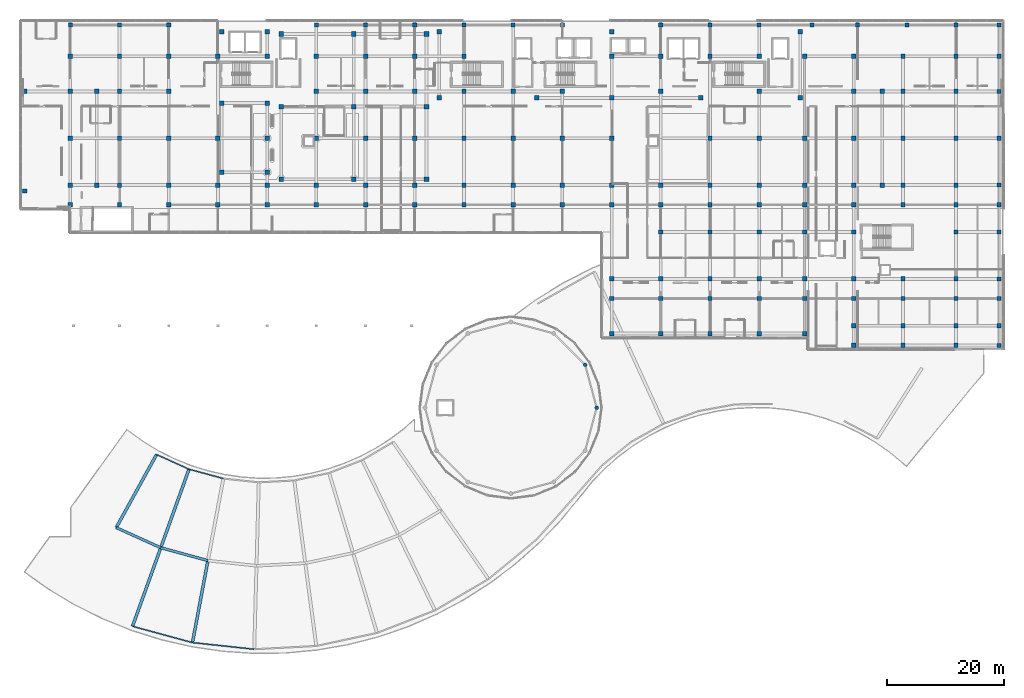
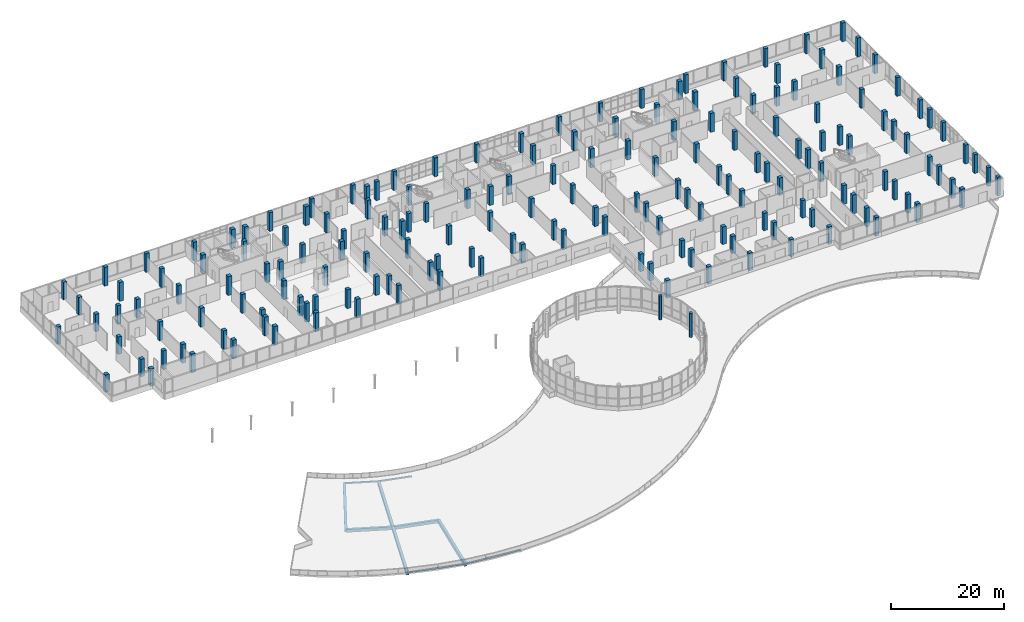
# One storey, part 3 of 101: 178 columns, 10 beams.
"""IFC4 building model written with IfcOpenShell, lengths in metres."""

import ifcopenshell
import ifcopenshell.guid

model = None  # the IFC model being written
_history = None  # IfcOwnerHistory: only IFC2X3 demands one
_inside = {}  # id of a spatial element -> (the spatial element, [elements in it])
_under = {}  # id of a project, library or spatial element -> (it, [spatial elements below it])
_declared = {}  # id of a project -> (the project, [libraries it declares])
_typed = {}  # id of a type object -> (the type object, [elements of that type])
_made_of = {}  # id of a material, layer set ... -> (it, [elements and type objects made of it])


def new_model(schema):
    """Start an empty IFC model of exactly this schema.

    Asked for "IFC4X3", IfcOpenShell would pick the latest addendum, in which some entities
    have other attributes; the version numbers below select the first issue.
    IFC2X3 requires an IfcOwnerHistory on every rooted entity: one is made here for all.
    """
    global model, _history
    if schema == "IFC4X3":
        model = ifcopenshell.file(schema_version=(4, 3, 0, 0))
    else:
        model = ifcopenshell.file(schema=schema)
    _inside.clear()
    _under.clear()
    _declared.clear()
    _typed.clear()
    _made_of.clear()
    _history = None
    if model.schema == "IFC2X3":
        org = make("IfcOrganization", Name="unknown")
        user = make(
            "IfcPersonAndOrganization",
            ThePerson=make("IfcPerson", FamilyName="unknown"),
            TheOrganization=org,
        )
        app = make(
            "IfcApplication",
            ApplicationDeveloper=org,
            Version="unknown",
            ApplicationFullName="unknown",
            ApplicationIdentifier="unknown",
        )
        _history = make(
            "IfcOwnerHistory",
            OwningUser=user,
            OwningApplication=app,
            ChangeAction="ADDED",
            CreationDate=0,
        )
    return model


def make(cls, **values):
    """One entity of the class cls with the attributes given. An attribute that is None is left unset."""
    return model.create_entity(
        cls, **{name: value for name, value in values.items() if value is not None}
    )


def rooted(cls, **values):
    """An entity with a GlobalId (a new one), such as an element, a storey or a relation."""
    return make(cls, GlobalId=ifcopenshell.guid.new(), OwnerHistory=_history, **values)


def si_unit(unit_type, name, prefix=None):
    """IfcSIUnit, for example si_unit("LENGTHUNIT", "METRE", prefix="MILLI")."""
    return make("IfcSIUnit", UnitType=unit_type, Prefix=prefix, Name=name)


def assignment(units):
    """IfcUnitAssignment: the units of a project."""
    return None if units is None else make("IfcUnitAssignment", Units=units)


def point(xyz):
    """IfcCartesianPoint."""
    return None if xyz is None else make("IfcCartesianPoint", Coordinates=xyz)


def direction(xyz):
    """IfcDirection."""
    return None if xyz is None else make("IfcDirection", DirectionRatios=xyz)


def frame(location, z_axis=None, x_axis=None):
    """IfcAxis2Placement3D, a coordinate frame: its origin and axes. An axis left out is left unset."""
    return make(
        "IfcAxis2Placement3D",
        Location=point(location),
        Axis=direction(z_axis),
        RefDirection=direction(x_axis),
    )


def frame_2d(location, x_axis=None):
    """IfcAxis2Placement2D, a coordinate frame in the plane: its origin and x axis."""
    return make(
        "IfcAxis2Placement2D", Location=point(location), RefDirection=direction(x_axis)
    )


def origin():
    """The frame at (0, 0, 0) with its axes left unset."""
    return frame((0.0, 0.0, 0.0))


def origin_2d():
    """The frame at (0, 0) in the plane with its x axis left unset."""
    return frame_2d((0.0, 0.0))


def place(relative_to, where):
    """IfcLocalPlacement: puts the frame where relative to a parent placement (None: the world)."""
    return make(
        "IfcLocalPlacement", PlacementRelTo=relative_to, RelativePlacement=where
    )


def context(
    kind, dimensions, precision=None, world=None, true_north=None, identifier=None
):
    """IfcGeometricRepresentationContext, for example the 3D "Model" context."""
    return make(
        "IfcGeometricRepresentationContext",
        ContextIdentifier=identifier,
        ContextType=kind,
        CoordinateSpaceDimension=dimensions,
        Precision=precision,
        WorldCoordinateSystem=world,
        TrueNorth=true_north,
    )


def subcontext(parent, identifier, kind, view, scale=None):
    """IfcGeometricRepresentationSubContext, for example "Body" below "Model"."""
    return make(
        "IfcGeometricRepresentationSubContext",
        ContextIdentifier=identifier,
        ContextType=kind,
        ParentContext=parent,
        TargetScale=scale,
        TargetView=view,
    )


def project(units=None, contexts=None):
    """IfcProject with its units and contexts."""
    return rooted(
        "IfcProject",
        Name="project",
        RepresentationContexts=contexts,
        UnitsInContext=assignment(units),
    )


def spatial(cls, under=None, at=None, **own):
    """A site, building, storey or space (cls), placed at a placement, below another one or the project."""
    s = rooted(cls, ObjectPlacement=at, **own)
    if under is not None:
        _under.setdefault(under.id(), (under, []))[1].append(s)
    return s


def profile(cls, at=None, kind="AREA", **sizes):
    """A parametric profile (cls). Its sizes go by their IFC names, for example OverallWidth=200.0."""
    return make(cls, ProfileType=kind, Position=at, **sizes)


def rectangle(**sizes):
    """IfcRectangleProfileDef."""
    return profile("IfcRectangleProfileDef", **sizes)


def hollow_rectangle(**sizes):
    """IfcRectangleHollowProfileDef."""
    return profile("IfcRectangleHollowProfileDef", **sizes)


def circle(**sizes):
    """IfcCircleProfileDef."""
    return profile("IfcCircleProfileDef", **sizes)


def extrude(swept, where, along, depth):
    """IfcExtrudedAreaSolid: the profile swept, set in the frame where, extruded along a direction by depth."""
    return make(
        "IfcExtrudedAreaSolid",
        SweptArea=swept,
        Position=where,
        ExtrudedDirection=direction(along),
        Depth=depth,
    )


def shape(context_of_items, identifier, shape_type, items):
    """IfcShapeRepresentation: the items that make up one representation, for example the "Body"."""
    return make(
        "IfcShapeRepresentation",
        ContextOfItems=context_of_items,
        RepresentationIdentifier=identifier,
        RepresentationType=shape_type,
        Items=items,
    )


def material(Name=None, Category=None):
    """IfcMaterial."""
    return make("IfcMaterial", Name=Name, Category=Category)


def material_profile(
    of_material, cross_section, Name=None, Category=None, Priority=None
):
    """IfcMaterialProfile: a cross section and its material."""
    return make(
        "IfcMaterialProfile",
        Name=Name,
        Material=of_material,
        Profile=cross_section,
        Priority=Priority,
        Category=Category,
    )


def profile_set(profiles, Name=None, composite=None):
    """IfcMaterialProfileSet."""
    return make(
        "IfcMaterialProfileSet",
        Name=Name,
        MaterialProfiles=profiles,
        CompositeProfile=composite,
    )


def made_of(thing, what):
    """Note that an element or type object is made of a material, layer set ...; save() writes the relation."""
    if what is not None:
        _made_of.setdefault(what.id(), (what, []))[1].append(thing)
    return thing


def type_object(cls, material=None, **own):
    """A type object (cls), such as IfcWallType, which elements share."""
    return made_of(rooted(cls, **own), material)


def element(
    cls,
    number,
    at=None,
    inside=None,
    cuts=None,
    type_object=None,
    material=None,
    context=None,
    identifier="Body",
    shape_type=None,
    held_by="IfcProductDefinitionShape",
    body=None,
    shapes=None,
    **own,
):
    """One element of the class cls, such as IfcWall. Its Tag is "e" and its number.

    at: its placement. inside: the storey or other place that contains it. cuts: it is an
    opening in that element (IfcRelVoidsElement). A single representation is given by context,
    identifier, shape_type and body (its items); several are given by shapes. held_by: the class
    of the entity that holds the representations. save() writes the other relations.
    """
    e = rooted(cls, Tag="e%d" % number, ObjectPlacement=at, **own)
    if body is not None:
        shapes = [shape(context, identifier, shape_type, body)]
    if shapes is not None:
        e.Representation = make(held_by, Representations=shapes)
    if inside is not None:
        _inside.setdefault(inside.id(), (inside, []))[1].append(e)
    if cuts is not None:
        rooted(
            "IfcRelVoidsElement", RelatingBuildingElement=cuts, RelatedOpeningElement=e
        )
    if type_object is not None:
        _typed.setdefault(type_object.id(), (type_object, []))[1].append(e)
    return made_of(e, material)


def aggregate(whole, parts):
    """IfcRelAggregates: a whole, such as a stair, and the parts it consists of."""
    return rooted("IfcRelAggregates", RelatingObject=whole, RelatedObjects=parts)


def save(model, path):
    """Write the relations noted so far, then the file.

    IfcRelAggregates (storeys below a building ...), IfcRelContainedInSpatialStructure (elements
    in a storey), IfcRelDefinesByType, IfcRelAssociatesMaterial and IfcRelDeclares: one each for
    every whole, place, type object, material and project.
    """
    for whole, parts in _under.values():
        aggregate(whole, parts)
    for where, things in _inside.values():
        rooted(
            "IfcRelContainedInSpatialStructure",
            RelatedElements=things,
            RelatingStructure=where,
        )
    for kind, things in _typed.values():
        rooted("IfcRelDefinesByType", RelatedObjects=things, RelatingType=kind)
    for what, things in _made_of.values():
        rooted("IfcRelAssociatesMaterial", RelatedObjects=things, RelatingMaterial=what)
    for by, libraries in _declared.values():
        rooted("IfcRelDeclares", RelatingContext=by, RelatedDefinitions=libraries)
    model.write(path)


model = new_model("IFC4")

# Units and contexts
model_context = context("Model", 3, precision=1e-05, world=origin(), true_north=direction((0.0, 1.0)))
body_context = subcontext(model_context, "Body", "Model", "MODEL_VIEW")
ifc_project = project(units=[si_unit("LENGTHUNIT", "METRE"), si_unit("AREAUNIT", "SQUARE_METRE"), si_unit("VOLUMEUNIT", "CUBIC_METRE"), si_unit("PLANEANGLEUNIT", "RADIAN"), si_unit("MASSUNIT", "GRAM", prefix="KILO")], contexts=[model_context])

# Site, building, storey
site_placement = place(None, origin())
site = spatial("IfcSite", under=ifc_project, at=site_placement, CompositionType="ELEMENT")
building_placement = place(site_placement, origin())
building = spatial("IfcBuilding", under=site, at=building_placement, Name="Selatvlak General Hospital", CompositionType="ELEMENT")
storey_placement = place(building_placement, frame((0.0, 0.0, 19.199951171875)))
storey = spatial("IfcBuildingStorey", under=building, at=storey_placement, Name="L04", CompositionType="ELEMENT", Elevation=19.199951171875)

# Columns
ifc_material_1 = material(Name="Concrete C40/50", Category="concrete")
ifc_material_profile_1 = material_profile(ifc_material_1, rectangle(XDim=0.699951171875, YDim=0.699951171875, at=origin_2d()), Name="RC-COL 700x700")
ifc_profile_set_1 = profile_set([ifc_material_profile_1], Name="Concrete C40/50")
column_type_1 = type_object("IfcColumnType", Name="COL-RC70", PredefinedType="COLUMN", material=ifc_profile_set_1)
for number, where, z_axis, x_axis, name in (
    (1, (149.39990234375, 119.35009765625, 0.0), (0.0, 0.0, 1.0), (1.0, 0.0, 0.0), "Column 122 on L04"),
    (2, (157.199951171875, 119.35009765625, 0.0), (0.0, 0.0, 1.0), (1.0, 0.0, 0.0), "Column 123 on L04"),
    (3, (165.60009765625, 119.35009765625, 0.0), (0.0, 0.0, 1.0), (1.0, 0.0, 0.0), "Column 124 on L04"),
    (4, (174.0, 119.35009765625, 0.0), (0.0, 0.0, 1.0), (1.0, 0.0, 0.0), "Column 125 on L04"),
    (5, (181.35009765625, 119.35009765625, 0.0), (0.0, 0.0, 1.0), (1.0, 0.0, 0.0), "Column 126 on L04"),
):
    element("IfcColumn", number, at=place(storey_placement, frame(where, z_axis=z_axis, x_axis=x_axis)), inside=storey, type_object=column_type_1, Name=name, PredefinedType="COLUMN", context=body_context, shape_type="SweptSolid", body=[
        extrude(rectangle(XDim=0.699951171875, YDim=0.699951171875, at=origin_2d()), origin(), (0.0, 0.0, 1.0), 4.050048828125),
    ])
column_1_placement = place(storey_placement, frame((22.800048828125, 119.35009765625, 0.0), z_axis=(0.0, 0.0, 1.0), x_axis=(1.0, 0.0, 0.0)))
element("IfcColumn", 6, at=column_1_placement, inside=storey, type_object=column_type_1, Name="Column 163 on L04", PredefinedType="COLUMN", context=body_context, shape_type="SweptSolid", body=[
    extrude(rectangle(XDim=0.699951171875, YDim=0.699951171875, at=origin_2d()), origin(), (0.0, 0.0, 1.0), 3.77001953125),
])
for number, where, z_axis, x_axis, name in (
    (7, (31.199951171875, 119.35009765625, 0.0), (0.0, 0.0, 1.0), (1.0, 0.0, 0.0), "Column 169 on L04"),
    (8, (39.60009765625, 119.35009765625, 0.0), (0.0, 0.0, 1.0), (1.0, 0.0, 0.0), "Column 175 on L04"),
    (9, (64.800048828125, 119.35009765625, 0.0), (0.0, 0.0, 1.0), (1.0, 0.0, 0.0), "Column 191 on L04"),
    (10, (73.199951171875, 119.35009765625, 0.0), (0.0, 0.0, 1.0), (1.0, 0.0, 0.0), "Column 197 on L04"),
    (11, (81.60009765625, 119.35009765625, 0.0), (0.0, 0.0, 1.0), (1.0, 0.0, 0.0), "Column 206 on L04"),
    (12, (90.0, 119.35009765625, 0.0), (0.0, 0.0, 1.0), (1.0, 0.0, 0.0), "Column 215 on L04"),
    (13, (98.39990234375, 119.35009765625, 0.0), (0.0, 0.0, 1.0), (1.0, 0.0, 0.0), "Column 222 on L04"),
    (14, (106.800048828125, 119.35009765625, 0.0), (0.0, 0.0, 1.0), (1.0, 0.0, 0.0), "Column 228 on L04"),
    (15, (123.60009765625, 119.35009765625, 0.0), (0.0, 0.0, 1.0), (1.0, 0.0, 0.0), "Column 245 on L04"),
    (16, (132.0, 119.35009765625, 0.0), (0.0, 0.0, 1.0), (1.0, 0.0, 0.0), "Column 254 on L04"),
    (17, (140.39990234375, 119.35009765625, 0.0), (0.0, 0.0, 1.0), (1.0, 0.0, 0.0), "Column 264 on L04"),
    (18, (181.35009765625, 64.64990234375, 0.0), (0.0, 0.0, 1.0), (1.0, 0.0, 0.0), "Column 304 on L04"),
    (19, (181.35009765625, 68.0, 0.0), (0.0, 0.0, 1.0), (1.0, 0.0, 0.0), "Column 305 on L04"),
    (20, (181.35009765625, 72.64990234375, 0.0), (0.0, 0.0, 1.0), (1.0, 0.0, 0.0), "Column 306 on L04"),
    (21, (181.35009765625, 76.0, 0.0), (0.0, 0.0, 1.0), (1.0, 0.0, 0.0), "Column 307 on L04"),
    (22, (181.35009765625, 84.0, 0.0), (0.0, 0.0, 1.0), (1.0, 0.0, 0.0), "Column 308 on L04"),
    (23, (181.35009765625, 88.64990234375, 0.0), (0.0, 0.0, 1.0), (1.0, 0.0, 0.0), "Column 309 on L04"),
    (24, (181.35009765625, 92.0, 0.0), (0.0, 0.0, 1.0), (1.0, 0.0, 0.0), "Column 310 on L04"),
    (25, (181.35009765625, 100.0, 0.0), (0.0, 0.0, 1.0), (1.0, 0.0, 0.0), "Column 311 on L04"),
    (26, (181.35009765625, 108.0, 0.0), (0.0, 0.0, 1.0), (1.0, 0.0, 0.0), "Column 312 on L04"),
    (27, (181.35009765625, 114.0, 0.0), (0.0, 0.0, 1.0), (1.0, 0.0, 0.0), "Column 313 on L04"),
):
    element("IfcColumn", number, at=place(storey_placement, frame(where, z_axis=z_axis, x_axis=x_axis)), inside=storey, type_object=column_type_1, Name=name, PredefinedType="COLUMN", context=body_context, shape_type="SweptSolid", body=[
        extrude(rectangle(XDim=0.699951171875, YDim=0.699951171875, at=origin_2d()), origin(), (0.0, 0.0, 1.0), 4.050048828125),
    ])
ifc_material_2 = material(Name="Concrete C50/60", Category="concrete")
ifc_material_profile_2 = material_profile(ifc_material_2, rectangle(XDim=0.75, YDim=0.75, at=origin_2d()), Name="RC-COL 750x750")
ifc_profile_set_2 = profile_set([ifc_material_profile_2], Name="Concrete C50/60")
column_type_2 = type_object("IfcColumnType", Name="COL-RC75", PredefinedType="COLUMN", material=ifc_profile_set_2)
for number, where, z_axis, x_axis, name in (
    (28, (48.64990234375, 94.199951171875, 0.0), (0.0, 0.0, 1.0), (1.0, 0.0, 0.0), "Column 046 on L04"),
    (29, (56.39990234375, 94.199951171875, 0.0), (0.0, 0.0, 1.0), (1.0, 0.0, 0.0), "Column 047 on L04"),
    (30, (48.64990234375, 106.0, 0.0), (0.0, 0.0, 1.0), (1.0, 0.0, 0.0), "Column 048 on L04"),
    (31, (56.39990234375, 106.0, 0.0), (0.0, 0.0, 1.0), (1.0, 0.0, 0.0), "Column 049 on L04"),
    (32, (48.64990234375, 118.199951171875, 0.0), (0.0, 0.0, 1.0), (1.0, 0.0, 0.0), "Column 050 on L04"),
    (33, (56.39990234375, 118.199951171875, 0.0), (0.0, 0.0, 1.0), (1.0, 0.0, 0.0), "Column 051 on L04"),
    (34, (85.800048828125, 106.89990234375, 0.0), (0.0, 0.0, 1.0), (1.0, 0.0, 0.0), "Column 052 on L04"),
    (35, (102.39990234375, 106.89990234375, 0.0), (0.0, 0.0, 1.0), (1.0, 0.0, 0.0), "Column 053 on L04"),
    (36, (115.199951171875, 106.89990234375, 0.0), (0.0, 0.0, 1.0), (1.0, 0.0, 0.0), "Column 054 on L04"),
    (37, (130.39990234375, 106.89990234375, 0.0), (0.0, 0.0, 1.0), (1.0, 0.0, 0.0), "Column 055 on L04"),
    (38, (147.39990234375, 106.89990234375, 0.0), (0.0, 0.0, 1.0), (1.0, 0.0, 0.0), "Column 056 on L04"),
    (39, (85.800048828125, 118.199951171875, 0.0), (0.0, 0.0, 1.0), (1.0, 0.0, 0.0), "Column 057 on L04"),
    (40, (115.199951171875, 118.199951171875, 0.0), (0.0, 0.0, 1.0), (1.0, 0.0, 0.0), "Column 058 on L04"),
    (41, (147.39990234375, 118.199951171875, 0.0), (0.0, 0.0, 1.0), (1.0, 0.0, 0.0), "Column 059 on L04"),
):
    element("IfcColumn", number, at=place(storey_placement, frame(where, z_axis=z_axis, x_axis=x_axis)), inside=storey, type_object=column_type_2, Name=name, PredefinedType="COLUMN", context=body_context, shape_type="SweptSolid", body=[
        extrude(rectangle(XDim=0.75, YDim=0.75, at=origin_2d()), origin(), (0.0, 0.0, 1.0), 4.050048828125),
    ])
column_2_placement = place(storey_placement, frame((15.050048828125, 91.0, 0.0), z_axis=(0.0, 0.0, 1.0), x_axis=(1.0, 0.0, 0.0)))
element("IfcColumn", 42, at=column_2_placement, inside=storey, type_object=column_type_2, Name="Column 070 on L04", PredefinedType="COLUMN", context=body_context, shape_type="SweptSolid", body=[
    extrude(rectangle(XDim=0.75, YDim=0.75, at=origin_2d()), origin(), (0.0, 0.0, 1.0), 3.76806640625),
])
for number, where, z_axis, x_axis, name in (
    (43, (27.300048828125, 92.0, 0.0), (0.0, 0.0, 1.0), (1.0, 0.0, 0.0), "Column 111 on L04"),
    (44, (27.300048828125, 108.0, 0.0), (0.0, 0.0, 1.0), (1.0, 0.0, 0.0), "Column 112 on L04"),
    (45, (161.39990234375, 92.0, 0.0), (0.0, 0.0, 1.0), (1.0, 0.0, 0.0), "Column 113 on L04"),
    (46, (161.39990234375, 108.0, 0.0), (0.0, 0.0, 1.0), (1.0, 0.0, 0.0), "Column 114 on L04"),
):
    element("IfcColumn", number, at=place(storey_placement, frame(where, z_axis=z_axis, x_axis=x_axis)), inside=storey, type_object=column_type_2, Name=name, PredefinedType="COLUMN", context=body_context, shape_type="SweptSolid", body=[
        extrude(rectangle(XDim=0.75, YDim=0.75, at=origin_2d()), origin(), (0.0, 0.0, 1.0), 4.050048828125),
    ])
column_3_placement = place(storey_placement, frame((15.050048828125, 108.0, 0.0), z_axis=(0.0, 0.0, 1.0), x_axis=(1.0, 0.0, 0.0)))
element("IfcColumn", 47, at=column_3_placement, inside=storey, type_object=column_type_2, Name="Column 156 on L04", PredefinedType="COLUMN", context=body_context, shape_type="SweptSolid", body=[
    extrude(rectangle(XDim=0.75, YDim=0.75, at=origin_2d()), origin(), (0.0, 0.0, 1.0), 3.76806640625),
])
for number, where, z_axis, x_axis, name in (
    (48, (22.800048828125, 88.64990234375, 0.0), (0.0, 0.0, 1.0), (1.0, 0.0, 0.0), "Column 158 on L04"),
    (49, (22.800048828125, 92.0, 0.0), (0.0, 0.0, 1.0), (1.0, 0.0, 0.0), "Column 159 on L04"),
    (50, (22.800048828125, 100.0, 0.0), (0.0, 0.0, 1.0), (1.0, 0.0, 0.0), "Column 160 on L04"),
    (51, (22.800048828125, 108.0, 0.0), (0.0, 0.0, 1.0), (1.0, 0.0, 0.0), "Column 161 on L04"),
    (52, (22.800048828125, 114.0, 0.0), (0.0, 0.0, 1.0), (1.0, 0.0, 0.0), "Column 162 on L04"),
):
    element("IfcColumn", number, at=place(storey_placement, frame(where, z_axis=z_axis, x_axis=x_axis)), inside=storey, type_object=column_type_2, Name=name, PredefinedType="COLUMN", context=body_context, shape_type="SweptSolid", body=[
        extrude(rectangle(XDim=0.75, YDim=0.75, at=origin_2d()), origin(), (0.0, 0.0, 1.0), 3.77001953125),
    ])
for number, where, z_axis, x_axis, name in (
    (53, (31.199951171875, 88.64990234375, 0.0), (0.0, 0.0, 1.0), (1.0, 0.0, 0.0), "Column 164 on L04"),
    (54, (31.199951171875, 92.0, 0.0), (0.0, 0.0, 1.0), (1.0, 0.0, 0.0), "Column 165 on L04"),
    (55, (31.199951171875, 100.0, 0.0), (0.0, 0.0, 1.0), (1.0, 0.0, 0.0), "Column 166 on L04"),
    (56, (31.199951171875, 108.0, 0.0), (0.0, 0.0, 1.0), (1.0, 0.0, 0.0), "Column 167 on L04"),
    (57, (31.199951171875, 114.0, 0.0), (0.0, 0.0, 1.0), (1.0, 0.0, 0.0), "Column 168 on L04"),
    (58, (39.60009765625, 88.64990234375, 0.0), (0.0, 0.0, 1.0), (1.0, 0.0, 0.0), "Column 170 on L04"),
    (59, (39.60009765625, 92.0, 0.0), (0.0, 0.0, 1.0), (1.0, 0.0, 0.0), "Column 171 on L04"),
    (60, (39.60009765625, 100.0, 0.0), (0.0, 0.0, 1.0), (1.0, 0.0, 0.0), "Column 172 on L04"),
    (61, (39.60009765625, 108.0, 0.0), (0.0, 0.0, 1.0), (1.0, 0.0, 0.0), "Column 173 on L04"),
    (62, (39.60009765625, 114.0, 0.0), (0.0, 0.0, 1.0), (1.0, 0.0, 0.0), "Column 174 on L04"),
    (63, (48.0, 88.64990234375, 0.0), (0.0, 0.0, 1.0), (1.0, 0.0, 0.0), "Column 177 on L04"),
    (64, (48.0, 92.0, 0.0), (0.0, 0.0, 1.0), (1.0, 0.0, 0.0), "Column 178 on L04"),
    (65, (48.0, 100.0, 0.0), (0.0, 0.0, 1.0), (1.0, 0.0, 0.0), "Column 179 on L04"),
    (66, (48.0, 114.0, 0.0), (0.0, 0.0, 1.0), (1.0, 0.0, 0.0), "Column 180 on L04"),
    (67, (56.39990234375, 88.64990234375, 0.0), (0.0, 0.0, 1.0), (1.0, 0.0, 0.0), "Column 181 on L04"),
    (68, (56.39990234375, 92.0, 0.0), (0.0, 0.0, 1.0), (1.0, 0.0, 0.0), "Column 182 on L04"),
    (69, (56.39990234375, 100.0, 0.0), (0.0, 0.0, 1.0), (1.0, 0.0, 0.0), "Column 183 on L04"),
    (70, (56.39990234375, 114.0, 0.0), (0.0, 0.0, 1.0), (1.0, 0.0, 0.0), "Column 184 on L04"),
    (71, (64.800048828125, 88.64990234375, 0.0), (0.0, 0.0, 1.0), (1.0, 0.0, 0.0), "Column 186 on L04"),
    (72, (64.800048828125, 92.0, 0.0), (0.0, 0.0, 1.0), (1.0, 0.0, 0.0), "Column 187 on L04"),
    (73, (64.800048828125, 100.0, 0.0), (0.0, 0.0, 1.0), (1.0, 0.0, 0.0), "Column 188 on L04"),
    (74, (64.800048828125, 108.0, 0.0), (0.0, 0.0, 1.0), (1.0, 0.0, 0.0), "Column 189 on L04"),
    (75, (64.800048828125, 114.0, 0.0), (0.0, 0.0, 1.0), (1.0, 0.0, 0.0), "Column 190 on L04"),
    (76, (73.199951171875, 88.64990234375, 0.0), (0.0, 0.0, 1.0), (1.0, 0.0, 0.0), "Column 192 on L04"),
    (77, (73.199951171875, 92.0, 0.0), (0.0, 0.0, 1.0), (1.0, 0.0, 0.0), "Column 193 on L04"),
    (78, (73.199951171875, 100.0, 0.0), (0.0, 0.0, 1.0), (1.0, 0.0, 0.0), "Column 194 on L04"),
    (79, (73.199951171875, 108.0, 0.0), (0.0, 0.0, 1.0), (1.0, 0.0, 0.0), "Column 195 on L04"),
    (80, (73.199951171875, 114.0, 0.0), (0.0, 0.0, 1.0), (1.0, 0.0, 0.0), "Column 196 on L04"),
    (81, (81.60009765625, 88.64990234375, 0.0), (0.0, 0.0, 1.0), (1.0, 0.0, 0.0), "Column 201 on L04"),
    (82, (81.60009765625, 92.0, 0.0), (0.0, 0.0, 1.0), (1.0, 0.0, 0.0), "Column 202 on L04"),
    (83, (81.60009765625, 100.0, 0.0), (0.0, 0.0, 1.0), (1.0, 0.0, 0.0), "Column 203 on L04"),
    (84, (81.60009765625, 108.0, 0.0), (0.0, 0.0, 1.0), (1.0, 0.0, 0.0), "Column 204 on L04"),
    (85, (81.60009765625, 114.0, 0.0), (0.0, 0.0, 1.0), (1.0, 0.0, 0.0), "Column 205 on L04"),
    (86, (90.0, 88.64990234375, 0.0), (0.0, 0.0, 1.0), (1.0, 0.0, 0.0), "Column 210 on L04"),
    (87, (90.0, 92.0, 0.0), (0.0, 0.0, 1.0), (1.0, 0.0, 0.0), "Column 211 on L04"),
    (88, (90.0, 100.0, 0.0), (0.0, 0.0, 1.0), (1.0, 0.0, 0.0), "Column 212 on L04"),
    (89, (90.0, 108.0, 0.0), (0.0, 0.0, 1.0), (1.0, 0.0, 0.0), "Column 213 on L04"),
    (90, (90.0, 114.0, 0.0), (0.0, 0.0, 1.0), (1.0, 0.0, 0.0), "Column 214 on L04"),
    (91, (98.39990234375, 88.64990234375, 0.0), (0.0, 0.0, 1.0), (1.0, 0.0, 0.0), "Column 218 on L04"),
    (92, (98.39990234375, 92.0, 0.0), (0.0, 0.0, 1.0), (1.0, 0.0, 0.0), "Column 219 on L04"),
    (93, (98.39990234375, 100.0, 0.0), (0.0, 0.0, 1.0), (1.0, 0.0, 0.0), "Column 220 on L04"),
    (94, (98.39990234375, 108.0, 0.0), (0.0, 0.0, 1.0), (1.0, 0.0, 0.0), "Column 221 on L04"),
    (95, (106.800048828125, 88.64990234375, 0.0), (0.0, 0.0, 1.0), (1.0, 0.0, 0.0), "Column 224 on L04"),
    (96, (106.800048828125, 92.0, 0.0), (0.0, 0.0, 1.0), (1.0, 0.0, 0.0), "Column 225 on L04"),
    (97, (106.800048828125, 100.0, 0.0), (0.0, 0.0, 1.0), (1.0, 0.0, 0.0), "Column 226 on L04"),
    (98, (106.800048828125, 108.0, 0.0), (0.0, 0.0, 1.0), (1.0, 0.0, 0.0), "Column 227 on L04"),
):
    element("IfcColumn", number, at=place(storey_placement, frame(where, z_axis=z_axis, x_axis=x_axis)), inside=storey, type_object=column_type_2, Name=name, PredefinedType="COLUMN", context=body_context, shape_type="SweptSolid", body=[
        extrude(rectangle(XDim=0.75, YDim=0.75, at=origin_2d()), origin(), (0.0, 0.0, 1.0), 4.050048828125),
    ])
for number, where, z_axis, x_axis, name in (
    (99, (115.199951171875, 66.64990234375, 0.0), (0.0, 0.0, 1.0), (1.0, 0.0, 0.0), "Column 229 on L04"),
    (100, (115.199951171875, 72.64990234375, 0.0), (0.0, 0.0, 1.0), (1.0, 0.0, 0.0), "Column 230 on L04"),
    (101, (115.199951171875, 76.0, 0.0), (0.0, 0.0, 1.0), (1.0, 0.0, 0.0), "Column 231 on L04"),
):
    element("IfcColumn", number, at=place(storey_placement, frame(where, z_axis=z_axis, x_axis=x_axis)), inside=storey, type_object=column_type_2, Name=name, PredefinedType="COLUMN", context=body_context, shape_type="SweptSolid", body=[
        extrude(rectangle(XDim=0.75, YDim=0.75, at=origin_2d()), origin(), (0.0, 0.0, 1.0), 3.75),
    ])
for number, where, z_axis, x_axis, name in (
    (102, (115.199951171875, 88.64990234375, 0.0), (0.0, 0.0, 1.0), (1.0, 0.0, 0.0), "Column 232 on L04"),
    (103, (115.199951171875, 92.0, 0.0), (0.0, 0.0, 1.0), (1.0, 0.0, 0.0), "Column 233 on L04"),
    (104, (115.199951171875, 100.0, 0.0), (0.0, 0.0, 1.0), (1.0, 0.0, 0.0), "Column 234 on L04"),
    (105, (115.199951171875, 114.0, 0.0), (0.0, 0.0, 1.0), (1.0, 0.0, 0.0), "Column 235 on L04"),
):
    element("IfcColumn", number, at=place(storey_placement, frame(where, z_axis=z_axis, x_axis=x_axis)), inside=storey, type_object=column_type_2, Name=name, PredefinedType="COLUMN", context=body_context, shape_type="SweptSolid", body=[
        extrude(rectangle(XDim=0.75, YDim=0.75, at=origin_2d()), origin(), (0.0, 0.0, 1.0), 4.050048828125),
    ])
for number, where, z_axis, x_axis, name in (
    (106, (123.60009765625, 66.64990234375, 0.0), (0.0, 0.0, 1.0), (1.0, 0.0, 0.0), "Column 236 on L04"),
    (107, (123.60009765625, 72.64990234375, 0.0), (0.0, 0.0, 1.0), (1.0, 0.0, 0.0), "Column 237 on L04"),
    (108, (123.60009765625, 76.0, 0.0), (0.0, 0.0, 1.0), (1.0, 0.0, 0.0), "Column 238 on L04"),
    (109, (123.60009765625, 84.0, 0.0), (0.0, 0.0, 1.0), (1.0, 0.0, 0.0), "Column 239 on L04"),
):
    element("IfcColumn", number, at=place(storey_placement, frame(where, z_axis=z_axis, x_axis=x_axis)), inside=storey, type_object=column_type_2, Name=name, PredefinedType="COLUMN", context=body_context, shape_type="SweptSolid", body=[
        extrude(rectangle(XDim=0.75, YDim=0.75, at=origin_2d()), origin(), (0.0, 0.0, 1.0), 3.75),
    ])
for number, where, z_axis, x_axis, name in (
    (110, (123.60009765625, 88.64990234375, 0.0), (0.0, 0.0, 1.0), (1.0, 0.0, 0.0), "Column 240 on L04"),
    (111, (123.60009765625, 92.0, 0.0), (0.0, 0.0, 1.0), (1.0, 0.0, 0.0), "Column 241 on L04"),
    (112, (123.60009765625, 108.0, 0.0), (0.0, 0.0, 1.0), (1.0, 0.0, 0.0), "Column 243 on L04"),
    (113, (123.60009765625, 114.0, 0.0), (0.0, 0.0, 1.0), (1.0, 0.0, 0.0), "Column 244 on L04"),
):
    element("IfcColumn", number, at=place(storey_placement, frame(where, z_axis=z_axis, x_axis=x_axis)), inside=storey, type_object=column_type_2, Name=name, PredefinedType="COLUMN", context=body_context, shape_type="SweptSolid", body=[
        extrude(rectangle(XDim=0.75, YDim=0.75, at=origin_2d()), origin(), (0.0, 0.0, 1.0), 4.050048828125),
    ])
for number, where, z_axis, x_axis, name in (
    (114, (132.0, 66.64990234375, 0.0), (0.0, 0.0, 1.0), (1.0, 0.0, 0.0), "Column 246 on L04"),
    (115, (132.0, 72.64990234375, 0.0), (0.0, 0.0, 1.0), (1.0, 0.0, 0.0), "Column 247 on L04"),
    (116, (132.0, 76.0, 0.0), (0.0, 0.0, 1.0), (1.0, 0.0, 0.0), "Column 248 on L04"),
    (117, (132.0, 84.0, 0.0), (0.0, 0.0, 1.0), (1.0, 0.0, 0.0), "Column 249 on L04"),
):
    element("IfcColumn", number, at=place(storey_placement, frame(where, z_axis=z_axis, x_axis=x_axis)), inside=storey, type_object=column_type_2, Name=name, PredefinedType="COLUMN", context=body_context, shape_type="SweptSolid", body=[
        extrude(rectangle(XDim=0.75, YDim=0.75, at=origin_2d()), origin(), (0.0, 0.0, 1.0), 3.75),
    ])
for number, where, z_axis, x_axis, name in (
    (118, (132.0, 88.64990234375, 0.0), (0.0, 0.0, 1.0), (1.0, 0.0, 0.0), "Column 250 on L04"),
    (119, (132.0, 92.0, 0.0), (0.0, 0.0, 1.0), (1.0, 0.0, 0.0), "Column 251 on L04"),
    (120, (132.0, 100.0, 0.0), (0.0, 0.0, 1.0), (1.0, 0.0, 0.0), "Column 252 on L04"),
    (121, (132.0, 114.0, 0.0), (0.0, 0.0, 1.0), (1.0, 0.0, 0.0), "Column 253 on L04"),
):
    element("IfcColumn", number, at=place(storey_placement, frame(where, z_axis=z_axis, x_axis=x_axis)), inside=storey, type_object=column_type_2, Name=name, PredefinedType="COLUMN", context=body_context, shape_type="SweptSolid", body=[
        extrude(rectangle(XDim=0.75, YDim=0.75, at=origin_2d()), origin(), (0.0, 0.0, 1.0), 4.050048828125),
    ])
for number, where, z_axis, x_axis, name in (
    (122, (140.39990234375, 66.64990234375, 0.0), (0.0, 0.0, 1.0), (1.0, 0.0, 0.0), "Column 255 on L04"),
    (123, (140.39990234375, 72.64990234375, 0.0), (0.0, 0.0, 1.0), (1.0, 0.0, 0.0), "Column 256 on L04"),
    (124, (140.39990234375, 76.0, 0.0), (0.0, 0.0, 1.0), (1.0, 0.0, 0.0), "Column 257 on L04"),
    (125, (140.39990234375, 84.0, 0.0), (0.0, 0.0, 1.0), (1.0, 0.0, 0.0), "Column 258 on L04"),
):
    element("IfcColumn", number, at=place(storey_placement, frame(where, z_axis=z_axis, x_axis=x_axis)), inside=storey, type_object=column_type_2, Name=name, PredefinedType="COLUMN", context=body_context, shape_type="SweptSolid", body=[
        extrude(rectangle(XDim=0.75, YDim=0.75, at=origin_2d()), origin(), (0.0, 0.0, 1.0), 3.75),
    ])
for number, where, z_axis, x_axis, name in (
    (126, (140.39990234375, 88.64990234375, 0.0), (0.0, 0.0, 1.0), (1.0, 0.0, 0.0), "Column 259 on L04"),
    (127, (140.39990234375, 92.0, 0.0), (0.0, 0.0, 1.0), (1.0, 0.0, 0.0), "Column 260 on L04"),
    (128, (140.39990234375, 100.0, 0.0), (0.0, 0.0, 1.0), (1.0, 0.0, 0.0), "Column 261 on L04"),
    (129, (140.39990234375, 108.0, 0.0), (0.0, 0.0, 1.0), (1.0, 0.0, 0.0), "Column 262 on L04"),
    (130, (140.39990234375, 114.0, 0.0), (0.0, 0.0, 1.0), (1.0, 0.0, 0.0), "Column 263 on L04"),
):
    element("IfcColumn", number, at=place(storey_placement, frame(where, z_axis=z_axis, x_axis=x_axis)), inside=storey, type_object=column_type_2, Name=name, PredefinedType="COLUMN", context=body_context, shape_type="SweptSolid", body=[
        extrude(rectangle(XDim=0.75, YDim=0.75, at=origin_2d()), origin(), (0.0, 0.0, 1.0), 4.050048828125),
    ])
for number, where, z_axis, x_axis, name in (
    (131, (148.14990234375, 66.64990234375, 0.0), (0.0, 0.0, 1.0), (1.0, 0.0, 0.0), "Column 266 on L04"),
    (132, (148.14990234375, 72.64990234375, 0.0), (0.0, 0.0, 1.0), (1.0, 0.0, 0.0), "Column 267 on L04"),
    (133, (148.14990234375, 76.0, 0.0), (0.0, 0.0, 1.0), (1.0, 0.0, 0.0), "Column 268 on L04"),
    (134, (148.14990234375, 84.0, 0.0), (0.0, 0.0, 1.0), (1.0, 0.0, 0.0), "Column 269 on L04"),
):
    element("IfcColumn", number, at=place(storey_placement, frame(where, z_axis=z_axis, x_axis=x_axis)), inside=storey, type_object=column_type_2, Name=name, PredefinedType="COLUMN", context=body_context, shape_type="SweptSolid", body=[
        extrude(rectangle(XDim=0.75, YDim=0.75, at=origin_2d()), origin(), (0.0, 0.0, 1.0), 3.75),
    ])
for number, where, z_axis, x_axis, name in (
    (135, (148.14990234375, 88.64990234375, 0.0), (0.0, 0.0, 1.0), (1.0, 0.0, 0.0), "Column 270 on L04"),
    (136, (148.14990234375, 92.0, 0.0), (0.0, 0.0, 1.0), (1.0, 0.0, 0.0), "Column 271 on L04"),
    (137, (148.14990234375, 100.0, 0.0), (0.0, 0.0, 1.0), (1.0, 0.0, 0.0), "Column 272 on L04"),
    (138, (148.14990234375, 114.0, 0.0), (0.0, 0.0, 1.0), (1.0, 0.0, 0.0), "Column 273 on L04"),
    (139, (156.550048828125, 64.64990234375, 0.0), (0.0, 0.0, 1.0), (1.0, 0.0, 0.0), "Column 274 on L04"),
    (140, (156.550048828125, 68.0, 0.0), (0.0, 0.0, 1.0), (1.0, 0.0, 0.0), "Column 275 on L04"),
    (141, (156.550048828125, 72.64990234375, 0.0), (0.0, 0.0, 1.0), (1.0, 0.0, 0.0), "Column 276 on L04"),
    (142, (156.550048828125, 76.0, 0.0), (0.0, 0.0, 1.0), (1.0, 0.0, 0.0), "Column 277 on L04"),
    (143, (156.550048828125, 84.0, 0.0), (0.0, 0.0, 1.0), (1.0, 0.0, 0.0), "Column 278 on L04"),
    (144, (156.550048828125, 88.64990234375, 0.0), (0.0, 0.0, 1.0), (1.0, 0.0, 0.0), "Column 279 on L04"),
    (145, (156.550048828125, 92.0, 0.0), (0.0, 0.0, 1.0), (1.0, 0.0, 0.0), "Column 280 on L04"),
    (146, (156.550048828125, 100.0, 0.0), (0.0, 0.0, 1.0), (1.0, 0.0, 0.0), "Column 281 on L04"),
    (147, (156.550048828125, 108.0, 0.0), (0.0, 0.0, 1.0), (1.0, 0.0, 0.0), "Column 282 on L04"),
    (148, (156.550048828125, 114.0, 0.0), (0.0, 0.0, 1.0), (1.0, 0.0, 0.0), "Column 283 on L04"),
    (149, (164.949951171875, 64.64990234375, 0.0), (0.0, 0.0, 1.0), (1.0, 0.0, 0.0), "Column 284 on L04"),
    (150, (164.949951171875, 68.0, 0.0), (0.0, 0.0, 1.0), (1.0, 0.0, 0.0), "Column 285 on L04"),
    (151, (164.949951171875, 72.64990234375, 0.0), (0.0, 0.0, 1.0), (1.0, 0.0, 0.0), "Column 286 on L04"),
    (152, (164.949951171875, 76.0, 0.0), (0.0, 0.0, 1.0), (1.0, 0.0, 0.0), "Column 287 on L04"),
    (153, (164.949951171875, 88.64990234375, 0.0), (0.0, 0.0, 1.0), (1.0, 0.0, 0.0), "Column 288 on L04"),
    (154, (164.949951171875, 92.0, 0.0), (0.0, 0.0, 1.0), (1.0, 0.0, 0.0), "Column 289 on L04"),
    (155, (164.949951171875, 100.0, 0.0), (0.0, 0.0, 1.0), (1.0, 0.0, 0.0), "Column 290 on L04"),
    (156, (164.949951171875, 108.0, 0.0), (0.0, 0.0, 1.0), (1.0, 0.0, 0.0), "Column 291 on L04"),
    (157, (164.949951171875, 114.0, 0.0), (0.0, 0.0, 1.0), (1.0, 0.0, 0.0), "Column 292 on L04"),
    (158, (174.0, 64.64990234375, 0.0), (0.0, 0.0, 1.0), (1.0, 0.0, 0.0), "Column 294 on L04"),
    (159, (174.0, 68.0, 0.0), (0.0, 0.0, 1.0), (1.0, 0.0, 0.0), "Column 295 on L04"),
    (160, (174.0, 72.64990234375, 0.0), (0.0, 0.0, 1.0), (1.0, 0.0, 0.0), "Column 296 on L04"),
    (161, (174.0, 76.0, 0.0), (0.0, 0.0, 1.0), (1.0, 0.0, 0.0), "Column 297 on L04"),
    (162, (174.0, 84.0, 0.0), (0.0, 0.0, 1.0), (1.0, 0.0, 0.0), "Column 298 on L04"),
    (163, (174.0, 88.64990234375, 0.0), (0.0, 0.0, 1.0), (1.0, 0.0, 0.0), "Column 299 on L04"),
    (164, (174.0, 92.0, 0.0), (0.0, 0.0, 1.0), (1.0, 0.0, 0.0), "Column 300 on L04"),
    (165, (174.0, 100.0, 0.0), (0.0, 0.0, 1.0), (1.0, 0.0, 0.0), "Column 301 on L04"),
    (166, (174.0, 108.0, 0.0), (0.0, 0.0, 1.0), (1.0, 0.0, 0.0), "Column 302 on L04"),
    (167, (174.0, 114.0, 0.0), (0.0, 0.0, 1.0), (1.0, 0.0, 0.0), "Column 303 on L04"),
):
    element("IfcColumn", number, at=place(storey_placement, frame(where, z_axis=z_axis, x_axis=x_axis)), inside=storey, type_object=column_type_2, Name=name, PredefinedType="COLUMN", context=body_context, shape_type="SweptSolid", body=[
        extrude(rectangle(XDim=0.75, YDim=0.75, at=origin_2d()), origin(), (0.0, 0.0, 1.0), 4.050048828125),
    ])
ifc_material_profile_3 = material_profile(ifc_material_2, rectangle(XDim=0.800048828125, YDim=0.800048828125, at=origin_2d()), Name="RC-COL 800x800")
ifc_profile_set_3 = profile_set([ifc_material_profile_3], Name="Concrete C50/60")
column_type_3 = type_object("IfcColumnType", Name="COL-RC80", PredefinedType="COLUMN", material=ifc_profile_set_3)
for number, where, z_axis, x_axis, name in (
    (168, (58.800048828125, 93.0, 0.0), (0.0, 0.0, 1.0), (1.0, 0.0, 0.0), "Column 037 on L04"),
    (169, (58.800048828125, 105.39990234375, 0.0), (0.0, 0.0, 1.0), (1.0, 0.0, 0.0), "Column 038 on L04"),
    (170, (58.800048828125, 117.800048828125, 0.0), (0.0, 0.0, 1.0), (1.0, 0.0, 0.0), "Column 039 on L04"),
    (171, (71.199951171875, 93.0, 0.0), (0.0, 0.0, 1.0), (1.0, 0.0, 0.0), "Column 040 on L04"),
    (172, (71.199951171875, 105.39990234375, 0.0), (0.0, 0.0, 1.0), (1.0, 0.0, 0.0), "Column 041 on L04"),
    (173, (71.199951171875, 117.800048828125, 0.0), (0.0, 0.0, 1.0), (1.0, 0.0, 0.0), "Column 042 on L04"),
    (174, (83.60009765625, 93.0, 0.0), (0.0, 0.0, 1.0), (1.0, 0.0, 0.0), "Column 043 on L04"),
    (175, (83.60009765625, 105.39990234375, 0.0), (0.0, 0.0, 1.0), (1.0, 0.0, 0.0), "Column 044 on L04"),
    (176, (83.60009765625, 117.800048828125, 0.0), (0.0, 0.0, 1.0), (1.0, 0.0, 0.0), "Column 045 on L04"),
):
    element("IfcColumn", number, at=place(storey_placement, frame(where, z_axis=z_axis, x_axis=x_axis)), inside=storey, type_object=column_type_3, Name=name, PredefinedType="COLUMN", context=body_context, shape_type="SweptSolid", body=[
        extrude(rectangle(XDim=0.800048828125, YDim=0.800048828125, at=origin_2d()), origin(), (0.0, 0.0, 1.0), 4.050048828125),
    ])
ifc_material_profile_4 = material_profile(ifc_material_1, circle(Radius=0.324951171875, at=origin_2d()), Name="RC-COL D650")
ifc_profile_set_4 = profile_set([ifc_material_profile_4], Name="Concrete C40/50")
column_type_4 = type_object("IfcColumnType", Name="COL-RCD65", PredefinedType="COLUMN", material=ifc_profile_set_4)
for number, where, z_axis, x_axis, name in (
    (177, (112.64990234375, 54.0, 0.0), (0.0, 0.0, 1.0), (1.0, 0.0, 0.0), "Column 025 on L04"),
    (178, (110.68701171875, 61.324951171875, 0.0), (0.0, 0.0, 1.0), (0.866025403784, 0.5, 0.0), "Column 026 on L04"),
):
    element("IfcColumn", number, at=place(storey_placement, frame(where, z_axis=z_axis, x_axis=x_axis)), inside=storey, type_object=column_type_4, Name=name, PredefinedType="COLUMN", context=body_context, shape_type="SweptSolid", body=[
        extrude(circle(Radius=0.324951171875, at=origin_2d()), origin(), (0.0, 0.0, 1.0), 5.150146484375),
    ])

# Beams
ifc_material_profile_5 = material_profile(ifc_material_1, rectangle(XDim=0.5, YDim=0.699951171875, at=origin_2d()), Name="RC-BM 500x700")
ifc_profile_set_5 = profile_set([ifc_material_profile_5], Name="Concrete C40/50")
beam_type_1 = type_object("IfcBeamType", Name="BM-G03", PredefinedType="BEAM", material=ifc_profile_set_5)
beam_1_placement = place(storey_placement, frame((37.52099609375, 46.009033203125, -0.639892578125), z_axis=(-0.483032502688, -0.875602421963, 0.0), x_axis=(0.875602421963, -0.483032502688, 0.0)))
element("IfcBeam", 179, at=beam_1_placement, inside=storey, type_object=beam_type_1, Name="Beam BMR-L04-1805", PredefinedType="BEAM", context=body_context, shape_type="SweptSolid", body=[
    extrude(rectangle(XDim=0.5, YDim=0.699951171875, at=origin_2d()), origin(), (0.0, 0.0, 1.0), 14.249755859375),
])
beam_2_placement = place(storey_placement, frame((43.05908203125, 43.506103515625, -0.639892578125), z_axis=(-0.338248037823, -0.941056993443, 0.0), x_axis=(0.941056993443, -0.338248037823, 0.0)))
element("IfcBeam", 180, at=beam_2_placement, inside=storey, type_object=beam_type_1, Name="Beam BMR-L04-1806", PredefinedType="BEAM", context=body_context, shape_type="SweptSolid", body=[
    extrude(rectangle(XDim=0.5, YDim=0.699951171875, at=origin_2d()), origin(), (0.0, 0.0, 1.0), 14.25),
])
for number, where, z_axis, x_axis, name in (
    (181, (38.239013671875, 30.095947265625, -0.639892578125), (-0.338253491381, -0.941055033231, 0.0), (0.941055033231, -0.338253491381, 0.0), "Beam BMR-L04-1807"),
    (182, (46.2880859375, 27.906005859375, -0.639892578125), (-0.184983631041, -0.982741601972, 0.0), (0.982741601972, -0.184983631041, 0.0), "Beam BMR-L04-1809"),
):
    element("IfcBeam", number, at=place(storey_placement, frame(where, z_axis=z_axis, x_axis=x_axis)), inside=storey, type_object=beam_type_1, Name=name, PredefinedType="BEAM", context=body_context, shape_type="SweptSolid", body=[
        extrude(rectangle(XDim=0.5, YDim=0.699951171875, at=origin_2d()), origin(), (0.0, 0.0, 1.0), 14.249755859375),
    ])
ifc_material_profile_6 = material_profile(ifc_material_1, rectangle(XDim=0.449951171875, YDim=0.64990234375, at=origin_2d()), Name="RC-BM 450x650")
ifc_profile_set_6 = profile_set([ifc_material_profile_6], Name="Concrete C40/50")
beam_type_2 = type_object("IfcBeamType", Name="BM-G04", PredefinedType="BEAM", material=ifc_profile_set_6)
for number, where, z_axis, x_axis, name in (
    (183, (30.637939453125, 33.531982421875, -0.614990234375), (0.911222507052, -0.411914484623, 0.0), (0.411914484623, 0.911222507052, 0.0), "Beam BMR-L04-1831"),
    (184, (38.239013671875, 30.095947265625, -0.614990234375), (0.964923713998, -0.262530429026, 0.0), (0.262530429026, 0.964923713998, 0.0), "Beam BMR-L04-1832"),
):
    element("IfcBeam", number, at=place(storey_placement, frame(where, z_axis=z_axis, x_axis=x_axis)), inside=storey, type_object=beam_type_2, Name=name, PredefinedType="BEAM", context=body_context, shape_type="SweptSolid", body=[
        extrude(rectangle(XDim=0.449951171875, YDim=0.64990234375, at=origin_2d()), origin(), (0.0, 0.0, 1.0), 8.341552734375),
    ])
ifc_material_3 = material(Name="Steel S355", Category="steel")
ifc_material_profile_7 = material_profile(ifc_material_3, hollow_rectangle(XDim=0.199951171875, YDim=0.300048828125, WallThickness=0.011962890625, at=origin_2d()), Name="RHS 300x200x12")
ifc_profile_set_7 = profile_set([ifc_material_profile_7], Name="Steel S355")
beam_type_3 = type_object("IfcBeamType", Name="BM-SP3", PredefinedType="SPANDREL", material=ifc_profile_set_7)
beam_3_placement = place(storey_placement, frame((37.52099609375, 46.009033203125, -0.43994140625), z_axis=(0.911255847368, -0.411840722413, 0.0), x_axis=(0.411840722413, 0.911255847368, 0.0)))
element("IfcBeam", 185, at=beam_3_placement, inside=storey, type_object=beam_type_3, Name="Beam BMR-L04-1823", PredefinedType="SPANDREL", context=body_context, shape_type="SweptSolid", body=[
    extrude(hollow_rectangle(XDim=0.199951171875, YDim=0.300048828125, WallThickness=0.011962890625, at=origin_2d()), origin(), (0.0, 0.0, 1.0), 6.077392578125),
])
beam_4_placement = place(storey_placement, frame((43.05908203125, 43.506103515625, -0.43994140625), z_axis=(0.9649036472, -0.262604172892, 0.0), x_axis=(0.262604172892, 0.9649036472, 0.0)))
element("IfcBeam", 186, at=beam_4_placement, inside=storey, type_object=beam_type_3, Name="Beam BMR-L04-1824", PredefinedType="SPANDREL", context=body_context, shape_type="SweptSolid", body=[
    extrude(hollow_rectangle(XDim=0.199951171875, YDim=0.300048828125, WallThickness=0.011962890625, at=origin_2d()), origin(), (0.0, 0.0, 1.0), 6.078369140625),
])
beam_5_placement = place(storey_placement, frame((33.4189453125, 16.68603515625, -0.43994140625), z_axis=(0.964929381724, -0.26250959656, 0.0), x_axis=(0.26250959656, 0.964929381724, 0.0)))
element("IfcBeam", 187, at=beam_5_placement, inside=storey, type_object=beam_type_3, Name="Beam BMR-L04-1838", PredefinedType="SPANDREL", context=body_context, shape_type="SweptSolid", body=[
    extrude(hollow_rectangle(XDim=0.199951171875, YDim=0.300048828125, WallThickness=0.011962890625, at=origin_2d()), origin(), (0.0, 0.0, 1.0), 10.60498046875),
])
beam_6_placement = place(storey_placement, frame((43.652099609375, 13.902099609375, -0.43994140625), z_axis=(0.99433421111, -0.106298996311, 0.0), x_axis=(0.106298996311, 0.99433421111, 0.0)))
element("IfcBeam", 188, at=beam_6_placement, inside=storey, type_object=beam_type_3, Name="Beam BMR-L04-1839", PredefinedType="SPANDREL", context=body_context, shape_type="SweptSolid", body=[
    extrude(hollow_rectangle(XDim=0.199951171875, YDim=0.300048828125, WallThickness=0.011962890625, at=origin_2d()), origin(), (0.0, 0.0, 1.0), 10.60400390625),
])

save(model, "model.ifc")
